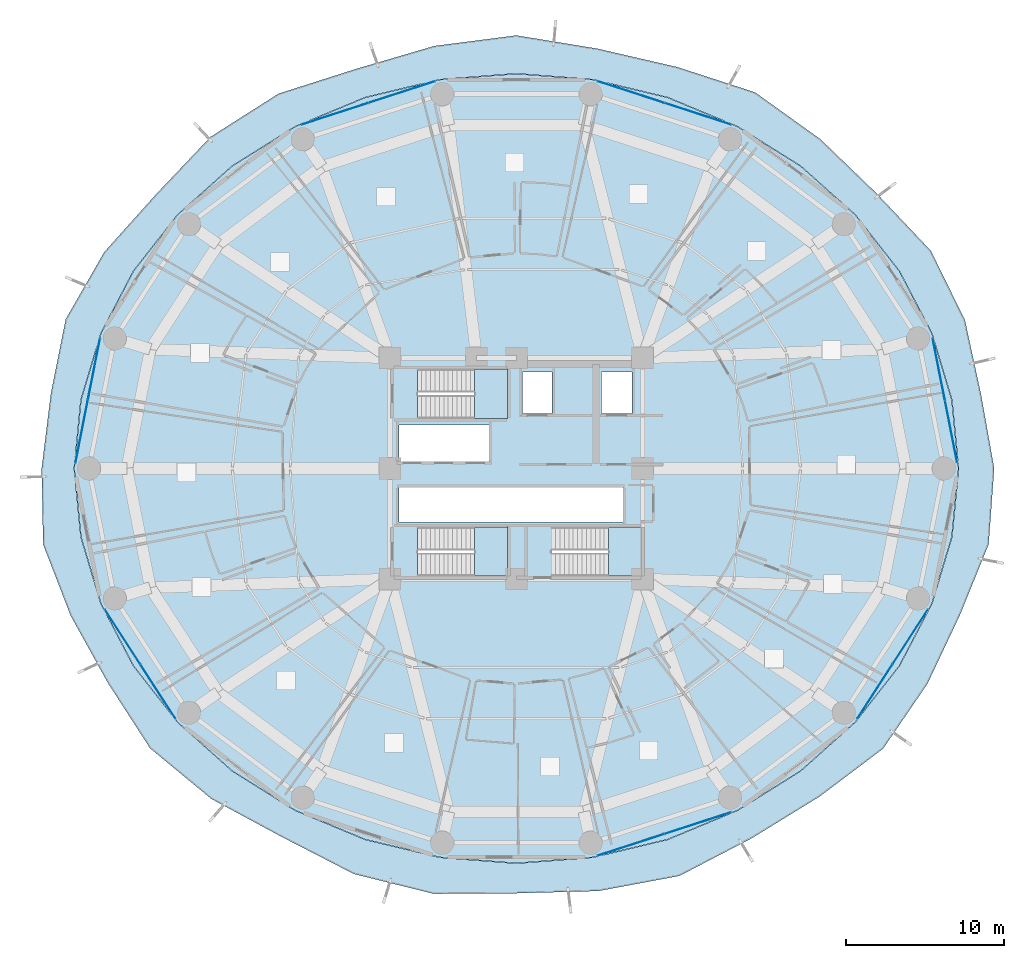
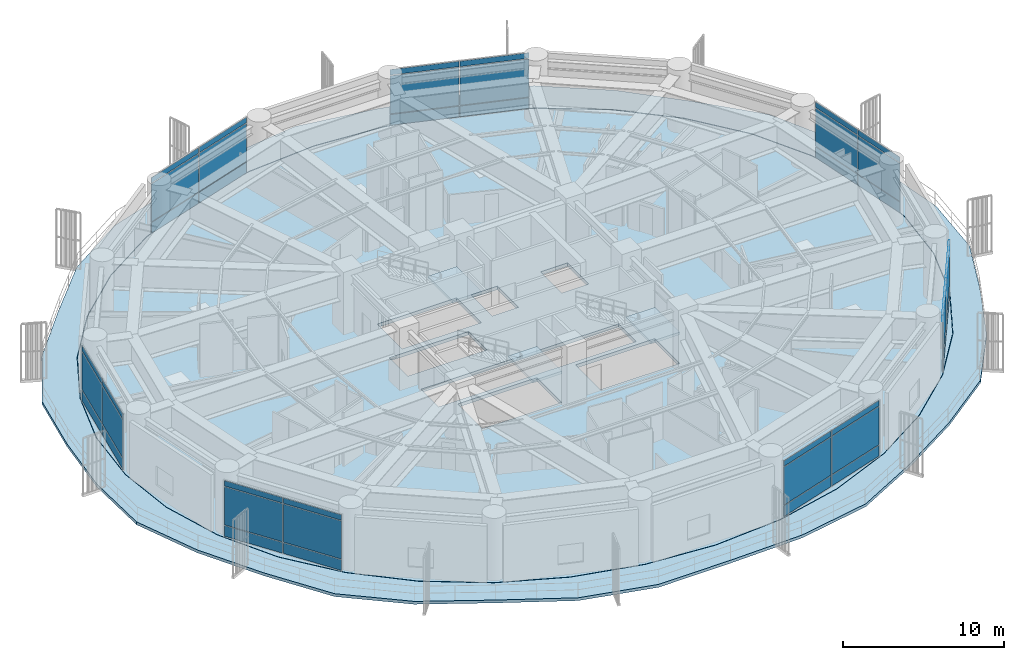
# One storey, part 20 of 31: 42 plates, 5 slabs, 10 elements without a shape of their own.
"""IFC4 building model written with IfcOpenShell, lengths in metres."""

from ifc_helpers import new_model, si_unit, direction, frame, origin, origin_2d, place, context, subcontext, project, spatial, polyline, rectangle, outline, extrude, source, transform, mapped, material, layer, layer_set, type_object, element, aggregate, save


model = new_model("IFC4")

# Units and contexts
model_context = context("Model", 3, precision=1e-05, world=origin(), true_north=direction((0.0, 1.0)))
body_context = subcontext(model_context, "Body", "Model", "MODEL_VIEW")
ifc_project = project(units=[si_unit("LENGTHUNIT", "METRE"), si_unit("AREAUNIT", "SQUARE_METRE"), si_unit("VOLUMEUNIT", "CUBIC_METRE"), si_unit("PLANEANGLEUNIT", "RADIAN"), si_unit("MASSUNIT", "GRAM", prefix="KILO")], contexts=[model_context])

# Site, building, storey
site_placement = place(None, origin())
site = spatial("IfcSite", under=ifc_project, at=site_placement, CompositionType="ELEMENT")
building_placement = place(site_placement, origin())
building = spatial("IfcBuilding", under=site, at=building_placement, Name="Kelanora Arch Commons", CompositionType="ELEMENT")
storey_placement = place(building_placement, frame((0.0, 0.0, 67.5)))
storey = spatial("IfcBuildingStorey", under=building, at=storey_placement, Name="L17", CompositionType="ELEMENT", Elevation=67.5)

# Stair, slab
ifc_material_1 = material(Name="Concrete C40/50", Category="concrete")
stair_type = type_object("IfcStairType", Name="STR-DL-476", PredefinedType="HALF_TURN_STAIR", material=ifc_material_1)
stair_1_placement = place(storey_placement, origin())
stair_1 = element("IfcStair", 1, at=stair_1_placement, inside=storey, type_object=stair_type, Name="L17 ST-T1", PredefinedType="HALF_TURN_STAIR")
ifc_layer_1 = layer(ifc_material_1, 0.199951171875)
ifc_layer_set_1 = layer_set([ifc_layer_1], Name="Concrete C40/50")
slab_type_1 = type_object("IfcSlabType", Name="SLB-STAIR-LND", PredefinedType="LANDING", material=ifc_layer_set_1)
slab_1_placement = place(storey_placement, frame((0.0, 0.0, 2.179931640625)))
slab_1 = element("IfcSlab", 2, at=slab_1_placement, type_object=slab_type_1, Name="ST-T1 landing 1", PredefinedType="LANDING", context=body_context, shape_type="SweptSolid", body=[
    extrude(outline(polyline([(71.360107421875, 61.179931640625), (73.43994140625, 61.179931640625), (73.43994140625, 64.2900390625), (71.360107421875, 64.2900390625), (71.360107421875, 61.179931640625)])), origin(), (0.0, 0.0, 1.0), 0.199951171875),
])
aggregate(stair_1, [slab_1])

stair_2_placement = place(storey_placement, origin())
stair_2 = element("IfcStair", 3, at=stair_2_placement, inside=storey, type_object=stair_type, Name="L17 ST-T2", PredefinedType="HALF_TURN_STAIR")
slab_2_placement = place(storey_placement, frame((0.0, 0.0, 2.179931640625)))
slab_2 = element("IfcSlab", 4, at=slab_2_placement, type_object=slab_type_1, Name="ST-T2 landing 1", PredefinedType="LANDING", context=body_context, shape_type="SweptSolid", body=[
    extrude(outline(polyline([(79.840087890625, 51.179931640625), (81.919921875, 51.179931640625), (81.919921875, 54.2900390625), (79.840087890625, 54.2900390625), (79.840087890625, 51.179931640625)])), origin(), (0.0, 0.0, 1.0), 0.199951171875),
])
aggregate(stair_2, [slab_2])

stair_3_placement = place(storey_placement, origin())
stair_3 = element("IfcStair", 5, at=stair_3_placement, inside=storey, type_object=stair_type, Name="L17 ST-T3", PredefinedType="HALF_TURN_STAIR")
slab_3_placement = place(storey_placement, frame((0.0, 0.0, 2.179931640625)))
slab_3 = element("IfcSlab", 6, at=slab_3_placement, type_object=slab_type_1, Name="ST-T3 landing 1", PredefinedType="LANDING", context=body_context, shape_type="SweptSolid", body=[
    extrude(outline(polyline([(71.360107421875, 51.179931640625), (73.43994140625, 51.179931640625), (73.43994140625, 54.2900390625), (71.360107421875, 54.2900390625), (71.360107421875, 51.179931640625)])), origin(), (0.0, 0.0, 1.0), 0.199951171875),
])
aggregate(stair_3, [slab_3])

# Slabs
ifc_layer_2 = layer(ifc_material_1, 0.260009765625)
ifc_layer_set_2 = layer_set([ifc_layer_2], Name="Concrete C40/50")
slab_type_2 = type_object("IfcSlabType", Name="SLB-TWR-TYP", PredefinedType="FLOOR", material=ifc_layer_set_2)
slab_4_placement = place(storey_placement, frame((0.0, 0.0, -0.260009765625)))
element("IfcSlab", 7, at=slab_4_placement, inside=storey, type_object=slab_type_2, Name="Tower Floor Slab L17", PredefinedType="FLOOR", context=body_context, shape_type="SweptSolid", body=[
    extrude(outline(polyline([(102.0, 58.0), (101.57470703125, 62.34130859375), (100.311279296875, 66.550537109375), (98.248779296875, 70.5), (95.44921875, 74.069580078125), (91.998046875, 77.151123046875), (88.0, 79.650634765625), (83.57666015625, 81.4921875), (78.862060546875, 82.6201171875), (74.0, 83.0), (69.137939453125, 82.6201171875), (64.42333984375, 81.4921875), (60.0, 79.650634765625), (56.001953125, 77.151123046875), (52.55078125, 74.069580078125), (49.751220703125, 70.5), (47.688720703125, 66.550537109375), (46.42529296875, 62.34130859375), (46.0, 58.0), (46.42529296875, 53.65869140625), (47.688720703125, 49.449462890625), (49.751220703125, 45.5), (52.55078125, 41.930419921875), (56.001953125, 38.848876953125), (60.0, 36.349365234375), (64.42333984375, 34.5078125), (69.137939453125, 33.3798828125), (74.0, 33.0), (78.862060546875, 33.3798828125), (83.57666015625, 34.5078125), (88.0, 36.349365234375), (91.998046875, 38.848876953125), (95.44921875, 41.930419921875), (98.248779296875, 45.5), (100.311279296875, 49.449462890625), (101.57470703125, 53.65869140625), (102.0, 58.0)]), holes=[polyline([(73.431884765625, 51.18798828125), (67.72802734375, 51.18798828125), (67.72802734375, 54.281982421875), (73.431884765625, 54.281982421875), (73.431884765625, 51.18798828125)]), polyline([(76.2080078125, 51.18798828125), (76.2080078125, 54.281982421875), (81.912109375, 54.281982421875), (81.912109375, 51.18798828125), (76.2080078125, 51.18798828125)]), polyline([(66.550048828125, 54.60009765625), (66.550048828125, 56.800048828125), (80.75, 56.800048828125), (80.75, 54.60009765625), (66.550048828125, 54.60009765625)]), polyline([(66.550048828125, 58.449951171875), (66.550048828125, 60.75), (72.25, 60.75), (72.25, 58.449951171875), (66.550048828125, 58.449951171875)]), polyline([(67.72802734375, 61.18798828125), (67.72802734375, 64.281982421875), (73.431884765625, 64.281982421875), (73.431884765625, 61.18798828125), (67.72802734375, 61.18798828125)]), polyline([(74.3798828125, 61.47998046875), (74.3798828125, 64.1201171875), (76.260009765625, 64.1201171875), (76.260009765625, 61.47998046875), (74.3798828125, 61.47998046875)]), polyline([(79.3798828125, 61.47998046875), (79.3798828125, 64.1201171875), (81.320068359375, 64.1201171875), (81.320068359375, 61.47998046875), (79.3798828125, 61.47998046875)])]), origin(), (0.0, 0.0, 1.0), 0.260009765625),
])
ifc_layer_3 = layer(ifc_material_1, 0.219970703125)
ifc_layer_set_3 = layer_set([ifc_layer_3], Name="Concrete C40/50")
slab_type_3 = type_object("IfcSlabType", Name="SLB-WAVE-BAL", PredefinedType="FLOOR", material=ifc_layer_set_3)
slab_5_placement = place(storey_placement, frame((0.0, 0.0, -0.219970703125)))
element("IfcSlab", 8, at=slab_5_placement, inside=storey, type_object=slab_type_3, Name="Sinusoidal Wave Balcony Slab L17", PredefinedType="FLOOR", context=body_context, shape_type="SweptSolid", body=[
    extrude(outline(polyline([(104.265869140625, 58.0), (103.4287109375, 62.70751953125), (102.409423828125, 67.40576171875), (100.2509765625, 71.794921875), (96.853759765625, 75.3896484375), (93.27001953125, 78.848876953125), (89.12060546875, 81.824462890625), (84.2041015625, 83.4228515625), (79.171630859375, 84.5859375), (74.0, 85.43310546875), (68.80029296875, 84.763916015625), (63.833984375, 83.305908203125), (58.92333984375, 81.739501953125), (54.616943359375, 78.999755859375), (51.17041015625, 75.366943359375), (47.88818359375, 71.70458984375), (45.45458984375, 67.461181640625), (44.5068359375, 62.72021484375), (43.92578125, 58.0), (44.021728515625, 53.18408203125), (45.767822265625, 48.66650390625), (48.109130859375, 44.438232421875), (50.792724609375, 40.2783203125), (54.671630859375, 37.0732421875), (59.132080078125, 34.665771484375), (63.70947265625, 32.310791015625), (68.7724609375, 31.058349609375), (74.0, 31.093017578125), (79.19970703125, 31.236083984375), (84.32861328125, 32.193603515625), (88.911865234375, 34.58056640625), (93.215087890625, 37.224365234375), (97.2314453125, 40.25537109375), (100.030029296875, 44.34814453125), (102.09619140625, 48.721923828125), (103.913818359375, 53.19677734375), (104.265869140625, 58.0)]), holes=[polyline([(101.59423828125, 53.6552734375), (100.330078125, 49.442626953125), (98.26611328125, 45.489990234375), (95.464599609375, 41.91748046875), (92.010986328125, 38.83349609375), (88.010009765625, 36.33203125), (83.58349609375, 34.489013671875), (78.865478515625, 33.360107421875), (74.0, 32.97998046875), (69.134521484375, 33.360107421875), (64.41650390625, 34.489013671875), (59.989990234375, 36.33203125), (55.989013671875, 38.83349609375), (52.535400390625, 41.91748046875), (49.73388671875, 45.489990234375), (47.669921875, 49.442626953125), (46.40576171875, 53.6552734375), (45.97998046875, 58.0), (46.40576171875, 62.3447265625), (47.669921875, 66.557373046875), (49.73388671875, 70.510009765625), (52.535400390625, 74.08251953125), (55.989013671875, 77.16650390625), (59.989990234375, 79.66796875), (64.41650390625, 81.510986328125), (69.134521484375, 82.639892578125), (74.0, 83.02001953125), (78.865478515625, 82.639892578125), (83.58349609375, 81.510986328125), (88.010009765625, 79.66796875), (92.010986328125, 77.16650390625), (95.464599609375, 74.08251953125), (98.26611328125, 70.510009765625), (100.330078125, 66.557373046875), (101.59423828125, 62.3447265625), (102.02001953125, 58.0), (101.59423828125, 53.6552734375)])]), origin(), (0.0, 0.0, 1.0), 0.219970703125),
])

# Curtain wall, plates
ifc_material_2 = material(Name="Terracotta ceramic-fritted low-E glass and aluminium", Category="masonry")
ifc_layer_4 = layer(ifc_material_2, 0.159912109375)
ifc_layer_set_4 = layer_set([ifc_layer_4], Name="Terracotta ceramic-fritted low-E glass and aluminium")
curtain_wall_type = type_object("IfcCurtainWallType", Name="CW-SYS-01", PredefinedType="NOTDEFINED", material=ifc_layer_set_4)
curtain_wall_1_placement = place(storey_placement, origin())
curtain_wall_1 = element("IfcCurtainWall", 9, at=curtain_wall_1_placement, inside=storey, type_object=curtain_wall_type, Name="Unitised Curtain Wall L17-B00", PredefinedType="NOTDEFINED")
ifc_material_3 = material(Name="Terracotta ceramic-fritted double glazing", Category="masonry")
ifc_layer_5 = layer(ifc_material_3, 0.028076171875)
ifc_layer_set_5 = layer_set([ifc_layer_5], Name="Terracotta ceramic-fritted double glazing")
plate_type = type_object("IfcPlateType", Name="CWP-FRIT", PredefinedType="CURTAIN_PANEL", material=ifc_layer_set_5)
shared_shape_1 = source(origin(), body_context, "Body", "SweptSolid", [
    extrude(rectangle(XDim=3.9482421875, YDim=0.028076171875, at=origin_2d()), origin(), (0.0, 0.0, 1.0), 0.81005859375),
])
plate_1_placement = place(storey_placement, frame((101.536865234375, 60.34521484375, 0.06005859375), z_axis=(0.0, 0.0, 1.0), x_axis=(-0.193744048498, 0.981052110579, 0.0)))
plate_1 = element("IfcPlate", 10, at=plate_1_placement, type_object=plate_type, Name="CW-01 panel 1.1", PredefinedType="CURTAIN_PANEL", context=body_context, shape_type="MappedRepresentation", body=[
    mapped(shared_shape_1, transform((0.0, 0.0, 0.0), scale=1.0)),
])
plate_2_placement = place(storey_placement, frame((100.76025390625, 64.277587890625, 0.06005859375), z_axis=(0.0, 0.0, 1.0), x_axis=(-0.193744048498, 0.981052110579, 0.0)))
plate_2 = element("IfcPlate", 11, at=plate_2_placement, type_object=plate_type, Name="CW-01 panel 2.1", PredefinedType="CURTAIN_PANEL", context=body_context, shape_type="MappedRepresentation", body=[
    mapped(shared_shape_1, transform((0.0, 0.0, 0.0), scale=1.0)),
])

curtain_wall_2_placement = place(storey_placement, origin())
curtain_wall_2 = element("IfcCurtainWall", 12, at=curtain_wall_2_placement, inside=storey, type_object=curtain_wall_type, Name="Unitised Curtain Wall L17-B08", PredefinedType="NOTDEFINED")
plate_3_placement = place(storey_placement, frame((47.23974609375, 64.277587890625, 0.06005859375), z_axis=(0.0, 0.0, 1.0), x_axis=(-0.193744048498, -0.981052110579, 0.0)))
plate_3 = element("IfcPlate", 13, at=plate_3_placement, type_object=plate_type, Name="CW-01 panel 1.1", PredefinedType="CURTAIN_PANEL", context=body_context, shape_type="MappedRepresentation", body=[
    mapped(shared_shape_1, transform((0.0, 0.0, 0.0), scale=1.0)),
])
plate_4_placement = place(storey_placement, frame((46.463134765625, 60.34521484375, 0.06005859375), z_axis=(0.0, 0.0, 1.0), x_axis=(-0.193744048498, -0.981052110579, 0.0)))
plate_4 = element("IfcPlate", 14, at=plate_4_placement, type_object=plate_type, Name="CW-01 panel 2.1", PredefinedType="CURTAIN_PANEL", context=body_context, shape_type="MappedRepresentation", body=[
    mapped(shared_shape_1, transform((0.0, 0.0, 0.0), scale=1.0)),
])

curtain_wall_3_placement = place(storey_placement, origin())
curtain_wall_3 = element("IfcCurtainWall", 15, at=curtain_wall_3_placement, inside=storey, type_object=curtain_wall_type, Name="Unitised Curtain Wall L17-B03", PredefinedType="NOTDEFINED")
shared_shape_2 = source(origin(), body_context, "Body", "SweptSolid", [
    extrude(rectangle(XDim=4.39453125, YDim=0.028076171875, at=origin_2d()), origin(), (0.0, 0.0, 1.0), 0.81005859375),
])
plate_5_placement = place(storey_placement, frame((85.4892578125, 80.466552734375, 0.06005859375), z_axis=(0.0, 0.0, 1.0), x_axis=(-0.951043326793, 0.30905758454, 0.0)))
plate_5 = element("IfcPlate", 16, at=plate_5_placement, type_object=plate_type, Name="CW-01 panel 1.1", PredefinedType="CURTAIN_PANEL", context=body_context, shape_type="MappedRepresentation", body=[
    mapped(shared_shape_2, transform((0.0, 0.0, 0.0), scale=1.0)),
])
plate_6_placement = place(storey_placement, frame((81.252685546875, 81.84326171875, 0.06005859375), z_axis=(0.0, 0.0, 1.0), x_axis=(-0.951043326793, 0.30905758454, 0.0)))
plate_6 = element("IfcPlate", 17, at=plate_6_placement, type_object=plate_type, Name="CW-01 panel 2.1", PredefinedType="CURTAIN_PANEL", context=body_context, shape_type="MappedRepresentation", body=[
    mapped(shared_shape_2, transform((0.0, 0.0, 0.0), scale=1.0)),
])

curtain_wall_4_placement = place(storey_placement, origin())
curtain_wall_4 = element("IfcCurtainWall", 18, at=curtain_wall_4_placement, inside=storey, type_object=curtain_wall_type, Name="Unitised Curtain Wall L17-B05", PredefinedType="NOTDEFINED")
plate_7_placement = place(storey_placement, frame((66.747314453125, 81.84326171875, 0.06005859375), z_axis=(0.0, 0.0, 1.0), x_axis=(-0.951043326793, -0.30905758454, 0.0)))
plate_7 = element("IfcPlate", 19, at=plate_7_placement, type_object=plate_type, Name="CW-01 panel 1.1", PredefinedType="CURTAIN_PANEL", context=body_context, shape_type="MappedRepresentation", body=[
    mapped(shared_shape_2, transform((0.0, 0.0, 0.0), scale=1.0)),
])
plate_8_placement = place(storey_placement, frame((62.5107421875, 80.466552734375, 0.06005859375), z_axis=(0.0, 0.0, 1.0), x_axis=(-0.951043326793, -0.30905758454, 0.0)))
plate_8 = element("IfcPlate", 20, at=plate_8_placement, type_object=plate_type, Name="CW-01 panel 2.1", PredefinedType="CURTAIN_PANEL", context=body_context, shape_type="MappedRepresentation", body=[
    mapped(shared_shape_2, transform((0.0, 0.0, 0.0), scale=1.0)),
])

curtain_wall_5_placement = place(storey_placement, origin())
curtain_wall_5 = element("IfcCurtainWall", 21, at=curtain_wall_5_placement, inside=storey, type_object=curtain_wall_type, Name="Unitised Curtain Wall L17-B14", PredefinedType="NOTDEFINED")
plate_9_placement = place(storey_placement, frame((81.252685546875, 34.15673828125, 0.06005859375), z_axis=(0.0, 0.0, 1.0), x_axis=(0.951043326793, 0.30905758454, 0.0)))
plate_9 = element("IfcPlate", 22, at=plate_9_placement, type_object=plate_type, Name="CW-01 panel 1.1", PredefinedType="CURTAIN_PANEL", context=body_context, shape_type="MappedRepresentation", body=[
    mapped(shared_shape_2, transform((0.0, 0.0, 0.0), scale=1.0)),
])
plate_10_placement = place(storey_placement, frame((85.4892578125, 35.533447265625, 0.06005859375), z_axis=(0.0, 0.0, 1.0), x_axis=(0.951043326793, 0.30905758454, 0.0)))
plate_10 = element("IfcPlate", 23, at=plate_10_placement, type_object=plate_type, Name="CW-01 panel 2.1", PredefinedType="CURTAIN_PANEL", context=body_context, shape_type="MappedRepresentation", body=[
    mapped(shared_shape_2, transform((0.0, 0.0, 0.0), scale=1.0)),
])

curtain_wall_6_placement = place(storey_placement, origin())
curtain_wall_6 = element("IfcCurtainWall", 24, at=curtain_wall_6_placement, inside=storey, type_object=curtain_wall_type, Name="Unitised Curtain Wall L17-B10", PredefinedType="NOTDEFINED")
shared_shape_3 = source(origin(), body_context, "Body", "SweptSolid", [
    extrude(rectangle(XDim=4.06787109375, YDim=0.028076171875, at=origin_2d()), origin(), (0.0, 0.0, 1.0), 0.81005859375),
])
plate_11_placement = place(storey_placement, frame((49.04833984375, 47.346435546875, 0.06005859375), z_axis=(0.0, 0.0, 1.0), x_axis=(0.543004441812, -0.83972982332, 0.0)))
plate_11 = element("IfcPlate", 25, at=plate_11_placement, type_object=plate_type, Name="CW-01 panel 1.1", PredefinedType="CURTAIN_PANEL", context=body_context, shape_type="MappedRepresentation", body=[
    mapped(shared_shape_3, transform((0.0, 0.0, 0.0), scale=1.0)),
])
plate_12_placement = place(storey_placement, frame((51.289794921875, 43.880126953125, 0.06005859375), z_axis=(0.0, 0.0, 1.0), x_axis=(0.543004441812, -0.83972982332, 0.0)))
plate_12 = element("IfcPlate", 26, at=plate_12_placement, type_object=plate_type, Name="CW-01 panel 2.1", PredefinedType="CURTAIN_PANEL", context=body_context, shape_type="MappedRepresentation", body=[
    mapped(shared_shape_3, transform((0.0, 0.0, 0.0), scale=1.0)),
])

curtain_wall_7_placement = place(storey_placement, origin())
curtain_wall_7 = element("IfcCurtainWall", 27, at=curtain_wall_7_placement, inside=storey, type_object=curtain_wall_type, Name="Unitised Curtain Wall L17-B16", PredefinedType="NOTDEFINED")
plate_13_placement = place(storey_placement, frame((96.710205078125, 43.880126953125, 0.06005859375), z_axis=(0.0, 0.0, 1.0), x_axis=(0.543004441812, 0.83972982332, 0.0)))
plate_13 = element("IfcPlate", 28, at=plate_13_placement, type_object=plate_type, Name="CW-01 panel 1.1", PredefinedType="CURTAIN_PANEL", context=body_context, shape_type="MappedRepresentation", body=[
    mapped(shared_shape_3, transform((0.0, 0.0, 0.0), scale=1.0)),
])
plate_14_placement = place(storey_placement, frame((98.95166015625, 47.346435546875, 0.06005859375), z_axis=(0.0, 0.0, 1.0), x_axis=(0.543004441812, 0.83972982332, 0.0)))
plate_14 = element("IfcPlate", 29, at=plate_14_placement, type_object=plate_type, Name="CW-01 panel 2.1", PredefinedType="CURTAIN_PANEL", context=body_context, shape_type="MappedRepresentation", body=[
    mapped(shared_shape_3, transform((0.0, 0.0, 0.0), scale=1.0)),
])

# Plate
shared_shape_4 = source(origin(), body_context, "Body", "SweptSolid", [
    extrude(rectangle(XDim=3.9482421875, YDim=0.028076171875, at=origin_2d()), origin(), (0.0, 0.0, 1.0), 2.885009765625),
])
plate_15_placement = place(storey_placement, frame((101.536865234375, 60.34521484375, 0.93017578125), z_axis=(0.0, 0.0, 1.0), x_axis=(-0.193744048498, 0.981052110579, 0.0)))
plate_15 = element("IfcPlate", 30, at=plate_15_placement, type_object=plate_type, Name="CW-01 panel 1.2", PredefinedType="CURTAIN_PANEL", context=body_context, shape_type="MappedRepresentation", body=[
    mapped(shared_shape_4, transform((0.0, 0.0, 0.0), scale=1.0)),
])

plate_16_placement = place(storey_placement, frame((100.76025390625, 64.277587890625, 0.93017578125), z_axis=(0.0, 0.0, 1.0), x_axis=(-0.193744048498, 0.981052110579, 0.0)))
plate_16 = element("IfcPlate", 31, at=plate_16_placement, type_object=plate_type, Name="CW-01 panel 2.2", PredefinedType="CURTAIN_PANEL", context=body_context, shape_type="MappedRepresentation", body=[
    mapped(shared_shape_4, transform((0.0, 0.0, 0.0), scale=1.0)),
])

plate_17_placement = place(storey_placement, frame((47.23974609375, 64.277587890625, 0.93017578125), z_axis=(0.0, 0.0, 1.0), x_axis=(-0.193744048498, -0.981052110579, 0.0)))
plate_17 = element("IfcPlate", 32, at=plate_17_placement, type_object=plate_type, Name="CW-01 panel 1.2", PredefinedType="CURTAIN_PANEL", context=body_context, shape_type="MappedRepresentation", body=[
    mapped(shared_shape_4, transform((0.0, 0.0, 0.0), scale=1.0)),
])

plate_18_placement = place(storey_placement, frame((46.463134765625, 60.34521484375, 0.93017578125), z_axis=(0.0, 0.0, 1.0), x_axis=(-0.193744048498, -0.981052110579, 0.0)))
plate_18 = element("IfcPlate", 33, at=plate_18_placement, type_object=plate_type, Name="CW-01 panel 2.2", PredefinedType="CURTAIN_PANEL", context=body_context, shape_type="MappedRepresentation", body=[
    mapped(shared_shape_4, transform((0.0, 0.0, 0.0), scale=1.0)),
])

shared_shape_5 = source(origin(), body_context, "Body", "SweptSolid", [
    extrude(rectangle(XDim=3.9482421875, YDim=0.028076171875, at=origin_2d()), origin(), (0.0, 0.0, 1.0), 0.409912109375),
])
plate_19_placement = place(storey_placement, frame((101.536865234375, 60.34521484375, 3.875), z_axis=(0.0, 0.0, 1.0), x_axis=(-0.193744048498, 0.981052110579, 0.0)))
plate_19 = element("IfcPlate", 34, at=plate_19_placement, type_object=plate_type, Name="CW-01 panel 1.3", PredefinedType="CURTAIN_PANEL", context=body_context, shape_type="MappedRepresentation", body=[
    mapped(shared_shape_5, transform((0.0, 0.0, 0.0), scale=1.0)),
])

plate_20_placement = place(storey_placement, frame((100.76025390625, 64.277587890625, 3.875), z_axis=(0.0, 0.0, 1.0), x_axis=(-0.193744048498, 0.981052110579, 0.0)))
plate_20 = element("IfcPlate", 35, at=plate_20_placement, type_object=plate_type, Name="CW-01 panel 2.3", PredefinedType="CURTAIN_PANEL", context=body_context, shape_type="MappedRepresentation", body=[
    mapped(shared_shape_5, transform((0.0, 0.0, 0.0), scale=1.0)),
])

aggregate(curtain_wall_1, [plate_1, plate_15, plate_19, plate_2, plate_16, plate_20])

plate_21_placement = place(storey_placement, frame((47.23974609375, 64.277587890625, 3.875), z_axis=(0.0, 0.0, 1.0), x_axis=(-0.193744048498, -0.981052110579, 0.0)))
plate_21 = element("IfcPlate", 36, at=plate_21_placement, type_object=plate_type, Name="CW-01 panel 1.3", PredefinedType="CURTAIN_PANEL", context=body_context, shape_type="MappedRepresentation", body=[
    mapped(shared_shape_5, transform((0.0, 0.0, 0.0), scale=1.0)),
])

plate_22_placement = place(storey_placement, frame((46.463134765625, 60.34521484375, 3.875), z_axis=(0.0, 0.0, 1.0), x_axis=(-0.193744048498, -0.981052110579, 0.0)))
plate_22 = element("IfcPlate", 37, at=plate_22_placement, type_object=plate_type, Name="CW-01 panel 2.3", PredefinedType="CURTAIN_PANEL", context=body_context, shape_type="MappedRepresentation", body=[
    mapped(shared_shape_5, transform((0.0, 0.0, 0.0), scale=1.0)),
])

aggregate(curtain_wall_2, [plate_3, plate_17, plate_21, plate_4, plate_18, plate_22])

shared_shape_6 = source(origin(), body_context, "Body", "SweptSolid", [
    extrude(rectangle(XDim=4.39453125, YDim=0.028076171875, at=origin_2d()), origin(), (0.0, 0.0, 1.0), 2.885009765625),
])
plate_23_placement = place(storey_placement, frame((85.4892578125, 80.466552734375, 0.93017578125), z_axis=(0.0, 0.0, 1.0), x_axis=(-0.951043326793, 0.30905758454, 0.0)))
plate_23 = element("IfcPlate", 38, at=plate_23_placement, type_object=plate_type, Name="CW-01 panel 1.2", PredefinedType="CURTAIN_PANEL", context=body_context, shape_type="MappedRepresentation", body=[
    mapped(shared_shape_6, transform((0.0, 0.0, 0.0), scale=1.0)),
])

plate_24_placement = place(storey_placement, frame((81.252685546875, 81.84326171875, 0.93017578125), z_axis=(0.0, 0.0, 1.0), x_axis=(-0.951043326793, 0.30905758454, 0.0)))
plate_24 = element("IfcPlate", 39, at=plate_24_placement, type_object=plate_type, Name="CW-01 panel 2.2", PredefinedType="CURTAIN_PANEL", context=body_context, shape_type="MappedRepresentation", body=[
    mapped(shared_shape_6, transform((0.0, 0.0, 0.0), scale=1.0)),
])

plate_25_placement = place(storey_placement, frame((66.747314453125, 81.84326171875, 0.93017578125), z_axis=(0.0, 0.0, 1.0), x_axis=(-0.951043326793, -0.30905758454, 0.0)))
plate_25 = element("IfcPlate", 40, at=plate_25_placement, type_object=plate_type, Name="CW-01 panel 1.2", PredefinedType="CURTAIN_PANEL", context=body_context, shape_type="MappedRepresentation", body=[
    mapped(shared_shape_6, transform((0.0, 0.0, 0.0), scale=1.0)),
])

plate_26_placement = place(storey_placement, frame((62.5107421875, 80.466552734375, 0.93017578125), z_axis=(0.0, 0.0, 1.0), x_axis=(-0.951043326793, -0.30905758454, 0.0)))
plate_26 = element("IfcPlate", 41, at=plate_26_placement, type_object=plate_type, Name="CW-01 panel 2.2", PredefinedType="CURTAIN_PANEL", context=body_context, shape_type="MappedRepresentation", body=[
    mapped(shared_shape_6, transform((0.0, 0.0, 0.0), scale=1.0)),
])

plate_27_placement = place(storey_placement, frame((81.252685546875, 34.15673828125, 0.93017578125), z_axis=(0.0, 0.0, 1.0), x_axis=(0.951043326793, 0.30905758454, 0.0)))
plate_27 = element("IfcPlate", 42, at=plate_27_placement, type_object=plate_type, Name="CW-01 panel 1.2", PredefinedType="CURTAIN_PANEL", context=body_context, shape_type="MappedRepresentation", body=[
    mapped(shared_shape_6, transform((0.0, 0.0, 0.0), scale=1.0)),
])

plate_28_placement = place(storey_placement, frame((85.4892578125, 35.533447265625, 0.93017578125), z_axis=(0.0, 0.0, 1.0), x_axis=(0.951043326793, 0.30905758454, 0.0)))
plate_28 = element("IfcPlate", 43, at=plate_28_placement, type_object=plate_type, Name="CW-01 panel 2.2", PredefinedType="CURTAIN_PANEL", context=body_context, shape_type="MappedRepresentation", body=[
    mapped(shared_shape_6, transform((0.0, 0.0, 0.0), scale=1.0)),
])

shared_shape_7 = source(origin(), body_context, "Body", "SweptSolid", [
    extrude(rectangle(XDim=4.39453125, YDim=0.028076171875, at=origin_2d()), origin(), (0.0, 0.0, 1.0), 0.409912109375),
])
plate_29_placement = place(storey_placement, frame((85.4892578125, 80.466552734375, 3.875), z_axis=(0.0, 0.0, 1.0), x_axis=(-0.951043326793, 0.30905758454, 0.0)))
plate_29 = element("IfcPlate", 44, at=plate_29_placement, type_object=plate_type, Name="CW-01 panel 1.3", PredefinedType="CURTAIN_PANEL", context=body_context, shape_type="MappedRepresentation", body=[
    mapped(shared_shape_7, transform((0.0, 0.0, 0.0), scale=1.0)),
])

plate_30_placement = place(storey_placement, frame((81.252685546875, 81.84326171875, 3.875), z_axis=(0.0, 0.0, 1.0), x_axis=(-0.951043326793, 0.30905758454, 0.0)))
plate_30 = element("IfcPlate", 45, at=plate_30_placement, type_object=plate_type, Name="CW-01 panel 2.3", PredefinedType="CURTAIN_PANEL", context=body_context, shape_type="MappedRepresentation", body=[
    mapped(shared_shape_7, transform((0.0, 0.0, 0.0), scale=1.0)),
])

aggregate(curtain_wall_3, [plate_5, plate_23, plate_29, plate_6, plate_24, plate_30])

plate_31_placement = place(storey_placement, frame((66.747314453125, 81.84326171875, 3.875), z_axis=(0.0, 0.0, 1.0), x_axis=(-0.951043326793, -0.30905758454, 0.0)))
plate_31 = element("IfcPlate", 46, at=plate_31_placement, type_object=plate_type, Name="CW-01 panel 1.3", PredefinedType="CURTAIN_PANEL", context=body_context, shape_type="MappedRepresentation", body=[
    mapped(shared_shape_7, transform((0.0, 0.0, 0.0), scale=1.0)),
])

plate_32_placement = place(storey_placement, frame((62.5107421875, 80.466552734375, 3.875), z_axis=(0.0, 0.0, 1.0), x_axis=(-0.951043326793, -0.30905758454, 0.0)))
plate_32 = element("IfcPlate", 47, at=plate_32_placement, type_object=plate_type, Name="CW-01 panel 2.3", PredefinedType="CURTAIN_PANEL", context=body_context, shape_type="MappedRepresentation", body=[
    mapped(shared_shape_7, transform((0.0, 0.0, 0.0), scale=1.0)),
])

aggregate(curtain_wall_4, [plate_7, plate_25, plate_31, plate_8, plate_26, plate_32])

plate_33_placement = place(storey_placement, frame((81.252685546875, 34.15673828125, 3.875), z_axis=(0.0, 0.0, 1.0), x_axis=(0.951043326793, 0.30905758454, 0.0)))
plate_33 = element("IfcPlate", 48, at=plate_33_placement, type_object=plate_type, Name="CW-01 panel 1.3", PredefinedType="CURTAIN_PANEL", context=body_context, shape_type="MappedRepresentation", body=[
    mapped(shared_shape_7, transform((0.0, 0.0, 0.0), scale=1.0)),
])

plate_34_placement = place(storey_placement, frame((85.4892578125, 35.533447265625, 3.875), z_axis=(0.0, 0.0, 1.0), x_axis=(0.951043326793, 0.30905758454, 0.0)))
plate_34 = element("IfcPlate", 49, at=plate_34_placement, type_object=plate_type, Name="CW-01 panel 2.3", PredefinedType="CURTAIN_PANEL", context=body_context, shape_type="MappedRepresentation", body=[
    mapped(shared_shape_7, transform((0.0, 0.0, 0.0), scale=1.0)),
])

aggregate(curtain_wall_5, [plate_9, plate_27, plate_33, plate_10, plate_28, plate_34])

shared_shape_8 = source(origin(), body_context, "Body", "SweptSolid", [
    extrude(rectangle(XDim=4.06787109375, YDim=0.028076171875, at=origin_2d()), origin(), (0.0, 0.0, 1.0), 2.885009765625),
])
plate_35_placement = place(storey_placement, frame((49.04833984375, 47.346435546875, 0.93017578125), z_axis=(0.0, 0.0, 1.0), x_axis=(0.543004441812, -0.83972982332, 0.0)))
plate_35 = element("IfcPlate", 50, at=plate_35_placement, type_object=plate_type, Name="CW-01 panel 1.2", PredefinedType="CURTAIN_PANEL", context=body_context, shape_type="MappedRepresentation", body=[
    mapped(shared_shape_8, transform((0.0, 0.0, 0.0), scale=1.0)),
])

plate_36_placement = place(storey_placement, frame((51.289794921875, 43.880126953125, 0.93017578125), z_axis=(0.0, 0.0, 1.0), x_axis=(0.543004441812, -0.83972982332, 0.0)))
plate_36 = element("IfcPlate", 51, at=plate_36_placement, type_object=plate_type, Name="CW-01 panel 2.2", PredefinedType="CURTAIN_PANEL", context=body_context, shape_type="MappedRepresentation", body=[
    mapped(shared_shape_8, transform((0.0, 0.0, 0.0), scale=1.0)),
])

plate_37_placement = place(storey_placement, frame((96.710205078125, 43.880126953125, 0.93017578125), z_axis=(0.0, 0.0, 1.0), x_axis=(0.543004441812, 0.83972982332, 0.0)))
plate_37 = element("IfcPlate", 52, at=plate_37_placement, type_object=plate_type, Name="CW-01 panel 1.2", PredefinedType="CURTAIN_PANEL", context=body_context, shape_type="MappedRepresentation", body=[
    mapped(shared_shape_8, transform((0.0, 0.0, 0.0), scale=1.0)),
])

plate_38_placement = place(storey_placement, frame((98.95166015625, 47.346435546875, 0.93017578125), z_axis=(0.0, 0.0, 1.0), x_axis=(0.543004441812, 0.83972982332, 0.0)))
plate_38 = element("IfcPlate", 53, at=plate_38_placement, type_object=plate_type, Name="CW-01 panel 2.2", PredefinedType="CURTAIN_PANEL", context=body_context, shape_type="MappedRepresentation", body=[
    mapped(shared_shape_8, transform((0.0, 0.0, 0.0), scale=1.0)),
])

shared_shape_9 = source(origin(), body_context, "Body", "SweptSolid", [
    extrude(rectangle(XDim=4.06787109375, YDim=0.028076171875, at=origin_2d()), origin(), (0.0, 0.0, 1.0), 0.409912109375),
])
plate_39_placement = place(storey_placement, frame((49.04833984375, 47.346435546875, 3.875), z_axis=(0.0, 0.0, 1.0), x_axis=(0.543004441812, -0.83972982332, 0.0)))
plate_39 = element("IfcPlate", 54, at=plate_39_placement, type_object=plate_type, Name="CW-01 panel 1.3", PredefinedType="CURTAIN_PANEL", context=body_context, shape_type="MappedRepresentation", body=[
    mapped(shared_shape_9, transform((0.0, 0.0, 0.0), scale=1.0)),
])

plate_40_placement = place(storey_placement, frame((51.289794921875, 43.880126953125, 3.875), z_axis=(0.0, 0.0, 1.0), x_axis=(0.543004441812, -0.83972982332, 0.0)))
plate_40 = element("IfcPlate", 55, at=plate_40_placement, type_object=plate_type, Name="CW-01 panel 2.3", PredefinedType="CURTAIN_PANEL", context=body_context, shape_type="MappedRepresentation", body=[
    mapped(shared_shape_9, transform((0.0, 0.0, 0.0), scale=1.0)),
])

aggregate(curtain_wall_6, [plate_11, plate_35, plate_39, plate_12, plate_36, plate_40])

plate_41_placement = place(storey_placement, frame((96.710205078125, 43.880126953125, 3.875), z_axis=(0.0, 0.0, 1.0), x_axis=(0.543004441812, 0.83972982332, 0.0)))
plate_41 = element("IfcPlate", 56, at=plate_41_placement, type_object=plate_type, Name="CW-01 panel 1.3", PredefinedType="CURTAIN_PANEL", context=body_context, shape_type="MappedRepresentation", body=[
    mapped(shared_shape_9, transform((0.0, 0.0, 0.0), scale=1.0)),
])

plate_42_placement = place(storey_placement, frame((98.95166015625, 47.346435546875, 3.875), z_axis=(0.0, 0.0, 1.0), x_axis=(0.543004441812, 0.83972982332, 0.0)))
plate_42 = element("IfcPlate", 57, at=plate_42_placement, type_object=plate_type, Name="CW-01 panel 2.3", PredefinedType="CURTAIN_PANEL", context=body_context, shape_type="MappedRepresentation", body=[
    mapped(shared_shape_9, transform((0.0, 0.0, 0.0), scale=1.0)),
])

aggregate(curtain_wall_7, [plate_13, plate_37, plate_41, plate_14, plate_38, plate_42])

save(model, "model.ifc")
